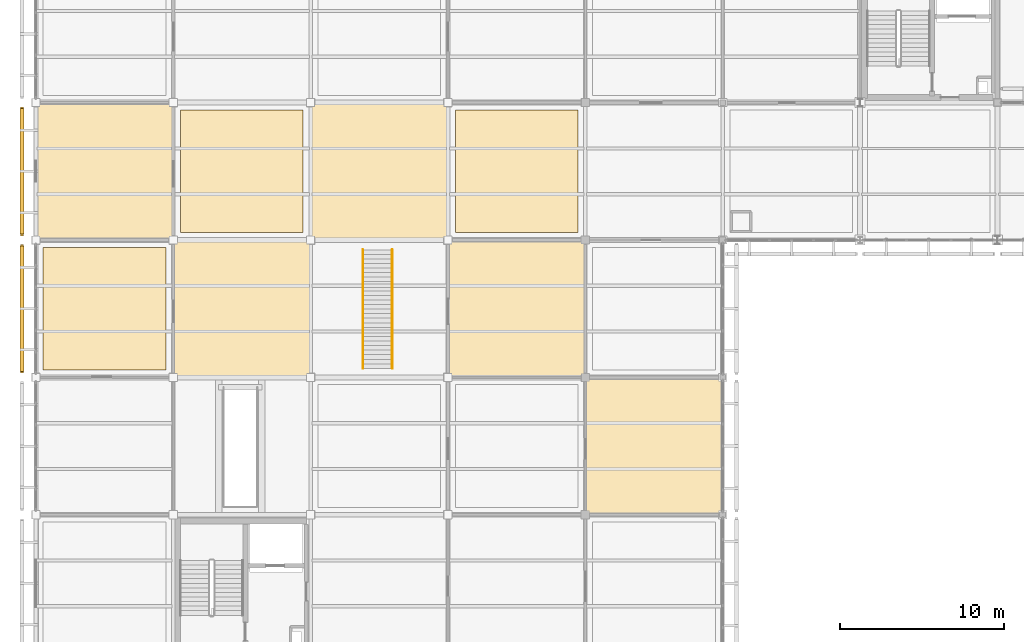
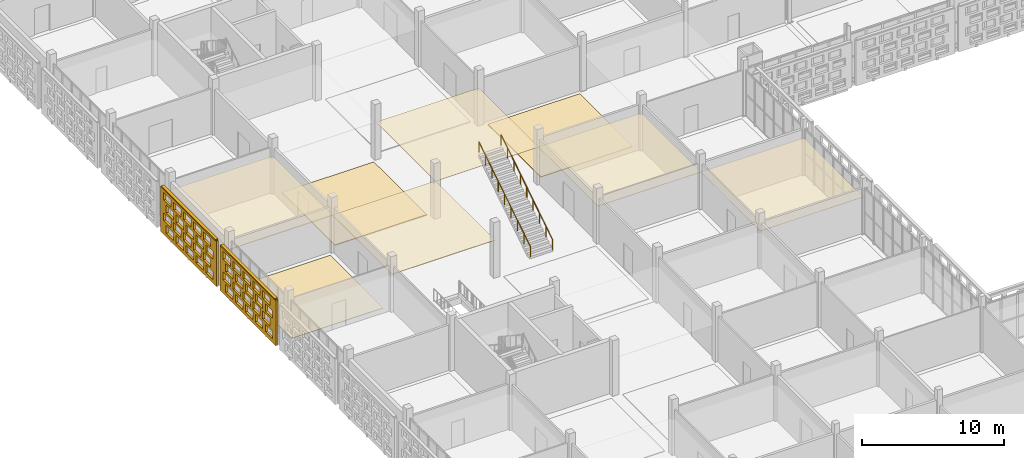
# One storey, part 158 of 203: 10 coverings, 2 railings, 2 shading devices, 40 openings.
"""IFC4 building model written with IfcOpenShell, lengths in metres."""

from ifc_helpers import new_model, si_unit, direction, frame, frame_2d, origin, origin_2d, place, context, subcontext, project, spatial, rectangle, circle, extrude, material, layer, layer_set, type_object, element, save


model = new_model("IFC4")

# Units and contexts
model_context = context("Model", 3, precision=1e-05, world=origin(), true_north=direction((0.0, 1.0)))
body_context = subcontext(model_context, "Body", "Model", "MODEL_VIEW")
ifc_project = project(units=[si_unit("LENGTHUNIT", "METRE"), si_unit("AREAUNIT", "SQUARE_METRE"), si_unit("VOLUMEUNIT", "CUBIC_METRE"), si_unit("PLANEANGLEUNIT", "RADIAN"), si_unit("MASSUNIT", "GRAM", prefix="KILO")], contexts=[model_context])

# Site, building, storey
site_placement = place(None, origin())
site = spatial("IfcSite", under=ifc_project, at=site_placement, CompositionType="ELEMENT")
building_placement = place(site_placement, origin())
building = spatial("IfcBuilding", under=site, at=building_placement, Name="Varnapada Polytechnic", CompositionType="ELEMENT")
storey_placement = place(building_placement, frame((0.0, 0.0, 4.800048828125)))
storey = spatial("IfcBuildingStorey", under=building, at=storey_placement, Name="L01", CompositionType="ELEMENT", Elevation=4.800048828125)

# Coverings
ifc_material_1 = material(Name="Anti-Static Raised Laboratory Flooring")
ifc_layer_1 = layer(ifc_material_1, 0.06005859375)
ifc_layer_set_1 = layer_set([ifc_layer_1], Name="Anti-Static Raised Laboratory Flooring")
covering_type_1 = type_object("IfcCoveringType", Name="Floor Finish FLR-02", PredefinedType="FLOORING", material=ifc_layer_set_1)
for number, where, z_axis, x_axis, name in (
    (1, (12.60009765625, 88.199951171875, 0.0), (0.0, 0.0, 1.0), (1.0, 0.0, 0.0), "L01 floor finish panel (2,11)"),
    (2, (29.39990234375, 88.199951171875, 0.0), (0.0, 0.0, 1.0), (1.0, 0.0, 0.0), "L01 floor finish panel (4,11)"),
):
    element("IfcCovering", number, at=place(storey_placement, frame(where, z_axis=z_axis, x_axis=x_axis)), inside=storey, type_object=covering_type_1, Name=name, PredefinedType="FLOORING", context=body_context, shape_type="SweptSolid", body=[
        extrude(rectangle(XDim=7.5, YDim=7.5, at=origin_2d()), origin(), (0.0, 0.0, 1.0), 0.06005859375),
    ])
ifc_material_2 = material(Name="Acoustic Rubber Seminar Flooring")
ifc_layer_2 = layer(ifc_material_2, 0.0400390625)
ifc_layer_set_2 = layer_set([ifc_layer_2], Name="Acoustic Rubber Seminar Flooring")
covering_type_2 = type_object("IfcCoveringType", Name="Floor Finish FLR-06", PredefinedType="FLOORING", material=ifc_layer_set_2)
covering_1_placement = place(storey_placement, frame((4.199951171875, 79.800048828125, 0.0), z_axis=(0.0, 0.0, 1.0), x_axis=(1.0, 0.0, 0.0)))
element("IfcCovering", 3, at=covering_1_placement, inside=storey, type_object=covering_type_2, Name="L01 floor finish panel (1,10)", PredefinedType="FLOORING", context=body_context, shape_type="SweptSolid", body=[
    extrude(rectangle(XDim=7.5, YDim=7.5, at=origin_2d()), origin(), (0.0, 0.0, 1.0), 0.0400390625),
])

# Railings
ifc_material_3 = material(Name="Brushed Stainless Steel 316", Category="steel")
railing_type = type_object("IfcRailingType", Name="Stair Wall Handrail SHR-01", PredefinedType="HANDRAIL", material=ifc_material_3)
for number, where, name in (
    (4, (20.0, 76.14990234375, 0.177734375), "L01 studio stair ST-F7 handrail L"),
    (5, (21.800048828125, 76.14990234375, 0.177734375), "L01 studio stair ST-F7 handrail R"),
):
    element("IfcRailing", number, at=place(storey_placement, frame(where)), inside=storey, type_object=railing_type, Name=name, PredefinedType="HANDRAIL", context=body_context, shape_type="SweptSolid", body=[
        extrude(circle(Radius=0.02392578125, at=origin_2d()), frame((0.0, 0.0, 0.8759765625), z_axis=(0.0, 0.84320402991, 0.537593679226), x_axis=(-1.0, 0.0, 0.0)), (0.0, 0.0, 1.0), 8.59814453125),
        extrude(circle(Radius=0.02099609375, at=origin_2d()), origin(), (0.0, 0.0, 1.0), 0.851806640625),
        extrude(circle(Radius=0.02099609375, at=origin_2d()), frame((0.0, 0.90625, 0.577880859375)), (0.0, 0.0, 1.0), 0.851806640625),
        extrude(circle(Radius=0.02099609375, at=origin_2d()), frame((0.0, 1.8125, 1.155517578125)), (0.0, 0.0, 1.0), 0.851806640625),
        extrude(circle(Radius=0.02099609375, at=origin_2d()), frame((0.0, 2.71875, 1.7333984375)), (0.0, 0.0, 1.0), 0.851806640625),
        extrude(circle(Radius=0.02099609375, at=origin_2d()), frame((0.0, 3.625, 2.31103515625)), (0.0, 0.0, 1.0), 0.851806640625),
        extrude(circle(Radius=0.02099609375, at=origin_2d()), frame((0.0, 4.53125, 2.888916015625)), (0.0, 0.0, 1.0), 0.851806640625),
        extrude(circle(Radius=0.02099609375, at=origin_2d()), frame((0.0, 5.4375, 3.466796875)), (0.0, 0.0, 1.0), 0.851806640625),
        extrude(circle(Radius=0.02099609375, at=origin_2d()), frame((0.0, 6.34375, 4.04443359375)), (0.0, 0.0, 1.0), 0.851806640625),
        extrude(circle(Radius=0.02099609375, at=origin_2d()), frame((0.0, 7.25, 4.622314453125)), (0.0, 0.0, 1.0), 0.851806640625),
    ])

# Coverings
ifc_material_4 = material(Name="Mineral Fibre Acoustic Ceiling Tile")
ifc_layer_3 = layer(ifc_material_4, 0.0400390625)
ifc_layer_set_3 = layer_set([ifc_layer_3], Name="Mineral Fibre Acoustic Ceiling Tile")
covering_type_3 = type_object("IfcCoveringType", Name="Suspended Ceiling CLG-01", PredefinedType="CEILING", material=ifc_layer_set_3)
covering_2_placement = place(storey_placement, frame((29.39990234375, 79.800048828125, 3.030029296875), z_axis=(0.0, 0.0, 1.0), x_axis=(1.0, 0.0, 0.0)))
element("IfcCovering", 6, at=covering_2_placement, inside=storey, type_object=covering_type_3, Name="L01 suspended acoustic ceiling (4,10)", PredefinedType="CEILING", context=body_context, shape_type="SweptSolid", body=[
    extrude(rectangle(XDim=8.419921875, YDim=8.419921875, at=origin_2d()), origin(), (0.0, 0.0, 1.0), 0.0400390625),
])
ifc_material_5 = material(Name="Moisture-Resistant Aluminum Baffle Ceiling", Category="aluminium")
ifc_layer_4 = layer(ifc_material_5, 0.030029296875)
ifc_layer_set_4 = layer_set([ifc_layer_4], Name="Moisture-Resistant Aluminum Baffle Ceiling")
covering_type_4 = type_object("IfcCoveringType", Name="Suspended Ceiling CLG-03", PredefinedType="CEILING", material=ifc_layer_set_4)
covering_3_placement = place(storey_placement, frame((21.0, 88.199951171875, 3.03515625), z_axis=(0.0, 0.0, 1.0), x_axis=(1.0, 0.0, 0.0)))
element("IfcCovering", 7, at=covering_3_placement, inside=storey, type_object=covering_type_4, Name="L01 suspended acoustic ceiling (3,11)", PredefinedType="CEILING", context=body_context, shape_type="SweptSolid", body=[
    extrude(rectangle(XDim=8.419921875, YDim=8.419921875, at=origin_2d()), origin(), (0.0, 0.0, 1.0), 0.030029296875),
])
ifc_material_6 = material(Name="Slatted Merbau Timber Acoustic Ceiling", Category="wood")
ifc_layer_5 = layer(ifc_material_6, 0.054931640625)
ifc_layer_set_5 = layer_set([ifc_layer_5], Name="Slatted Merbau Timber Acoustic Ceiling")
covering_type_5 = type_object("IfcCoveringType", Name="Suspended Ceiling CLG-05", PredefinedType="CEILING", material=ifc_layer_set_5)
covering_4_placement = place(storey_placement, frame((12.60009765625, 79.800048828125, 3.0224609375), z_axis=(0.0, 0.0, 1.0), x_axis=(1.0, 0.0, 0.0)))
element("IfcCovering", 8, at=covering_4_placement, inside=storey, type_object=covering_type_5, Name="L01 suspended acoustic ceiling (2,10)", PredefinedType="CEILING", context=body_context, shape_type="SweptSolid", body=[
    extrude(rectangle(XDim=8.419921875, YDim=8.419921875, at=origin_2d()), origin(), (0.0, 0.0, 1.0), 0.054931640625),
])
ifc_material_7 = material(Name="Cleanroom Laboratory Metal Pan Ceiling")
ifc_layer_6 = layer(ifc_material_7, 0.034912109375)
ifc_layer_set_6 = layer_set([ifc_layer_6], Name="Cleanroom Laboratory Metal Pan Ceiling")
covering_type_6 = type_object("IfcCoveringType", Name="Suspended Ceiling CLG-06", PredefinedType="CEILING", material=ifc_layer_set_6)
covering_5_placement = place(storey_placement, frame((37.800048828125, 71.39990234375, 3.03271484375), z_axis=(0.0, 0.0, 1.0), x_axis=(1.0, 0.0, 0.0)))
element("IfcCovering", 9, at=covering_5_placement, inside=storey, type_object=covering_type_6, Name="L01 suspended acoustic ceiling (5,9)", PredefinedType="CEILING", context=body_context, shape_type="SweptSolid", body=[
    extrude(rectangle(XDim=8.419921875, YDim=8.419921875, at=origin_2d()), origin(), (0.0, 0.0, 1.0), 0.034912109375),
])
ifc_material_8 = material(Name="Deep Acoustic Auditorium Cloud Baffle")
ifc_layer_7 = layer(ifc_material_8, 0.06494140625)
ifc_layer_set_7 = layer_set([ifc_layer_7], Name="Deep Acoustic Auditorium Cloud Baffle")
covering_type_7 = type_object("IfcCoveringType", Name="Suspended Ceiling CLG-07", PredefinedType="CEILING", material=ifc_layer_set_7)
covering_6_placement = place(storey_placement, frame((4.199951171875, 88.199951171875, 3.017578125), z_axis=(0.0, 0.0, 1.0), x_axis=(1.0, 0.0, 0.0)))
element("IfcCovering", 10, at=covering_6_placement, inside=storey, type_object=covering_type_7, Name="L01 suspended acoustic ceiling (1,11)", PredefinedType="CEILING", context=body_context, shape_type="SweptSolid", body=[
    extrude(rectangle(XDim=8.419921875, YDim=8.419921875, at=origin_2d()), origin(), (0.0, 0.0, 1.0), 0.06494140625),
])

# Covering, openings
ifc_material_9 = material(Name="Earth-toned architectural terracotta screen block", Category="masonry")
ifc_layer_8 = layer(ifc_material_9, 0.1201171875)
ifc_layer_set_8 = layer_set([ifc_layer_8], Name="Earth-toned architectural terracotta screen block")
covering_type_8 = type_object("IfcCoveringType", Name="Terracotta Screen Cladding CLD-01", PredefinedType="CLADDING", material=ifc_layer_set_8)
covering_7_placement = place(storey_placement, frame((-0.85009765625, 75.860107421875, 0.0), z_axis=(0.0, 0.0, 1.0), x_axis=(0.0, 1.0, 0.0)))
covering_7 = element("IfcCovering", 11, at=covering_7_placement, inside=storey, type_object=covering_type_8, Name="L01 perforated terracotta block screen (6)", PredefinedType="CLADDING", context=body_context, shape_type="SweptSolid", body=[
    extrude(rectangle(XDim=7.8798828125, YDim=0.179931640625, at=frame_2d((3.93994140625, 0.0))), origin(), (0.0, 0.0, 1.0), 3.919921875),
])
opening_1_placement = place(covering_7_placement, frame((0.43994140625, 0.0, 0.313720703125)))
element("IfcOpeningElement", 12, at=opening_1_placement, cuts=covering_7, Name="Screen perforation TBS-L01-005.1", PredefinedType="OPENING", context=body_context, shape_type="SweptSolid", body=[
    extrude(rectangle(XDim=1.0400390625, YDim=0.679931640625, at=frame_2d((0.52001953125, 0.33984375))), frame((0.0, 0.099853515625, 0.0), z_axis=(0.0, -1.0, 0.0), x_axis=(1.0, 0.0, 0.0)), (0.0, 0.0, 1.0), 0.199951171875),
])
opening_2_placement = place(covering_7_placement, frame((1.840087890625, 0.0, 0.313720703125)))
element("IfcOpeningElement", 13, at=opening_2_placement, cuts=covering_7, Name="Screen perforation TBS-L01-005.2", PredefinedType="OPENING", context=body_context, shape_type="SweptSolid", body=[
    extrude(rectangle(XDim=1.0400390625, YDim=0.679931640625, at=frame_2d((0.52001953125, 0.33984375))), frame((0.0, 0.099853515625, 0.0), z_axis=(0.0, -1.0, 0.0), x_axis=(1.0, 0.0, 0.0)), (0.0, 0.0, 1.0), 0.199951171875),
])
opening_3_placement = place(covering_7_placement, frame((3.239990234375, 0.0, 0.313720703125)))
element("IfcOpeningElement", 14, at=opening_3_placement, cuts=covering_7, Name="Screen perforation TBS-L01-005.3", PredefinedType="OPENING", context=body_context, shape_type="SweptSolid", body=[
    extrude(rectangle(XDim=1.0400390625, YDim=0.679931640625, at=frame_2d((0.52001953125, 0.33984375))), frame((0.0, 0.099853515625, 0.0), z_axis=(0.0, -1.0, 0.0), x_axis=(1.0, 0.0, 0.0)), (0.0, 0.0, 1.0), 0.199951171875),
])
opening_4_placement = place(covering_7_placement, frame((4.639892578125, 0.0, 0.313720703125)))
element("IfcOpeningElement", 15, at=opening_4_placement, cuts=covering_7, Name="Screen perforation TBS-L01-005.4", PredefinedType="OPENING", context=body_context, shape_type="SweptSolid", body=[
    extrude(rectangle(XDim=1.0400390625, YDim=0.679931640625, at=frame_2d((0.52001953125, 0.33984375))), frame((0.0, 0.099853515625, 0.0), z_axis=(0.0, -1.0, 0.0), x_axis=(1.0, 0.0, 0.0)), (0.0, 0.0, 1.0), 0.199951171875),
])
opening_5_placement = place(covering_7_placement, frame((6.0400390625, 0.0, 0.313720703125)))
element("IfcOpeningElement", 16, at=opening_5_placement, cuts=covering_7, Name="Screen perforation TBS-L01-005.5", PredefinedType="OPENING", context=body_context, shape_type="SweptSolid", body=[
    extrude(rectangle(XDim=1.0400390625, YDim=0.679931640625, at=frame_2d((0.52001953125, 0.33984375))), frame((0.0, 0.099853515625, 0.0), z_axis=(0.0, -1.0, 0.0), x_axis=(1.0, 0.0, 0.0)), (0.0, 0.0, 1.0), 0.199951171875),
])
opening_6_placement = place(covering_7_placement, frame((0.800048828125, 0.0, 1.195556640625)))
element("IfcOpeningElement", 17, at=opening_6_placement, cuts=covering_7, Name="Screen perforation TBS-L01-005.6", PredefinedType="OPENING", context=body_context, shape_type="SweptSolid", body=[
    extrude(rectangle(XDim=1.0400390625, YDim=0.679931640625, at=frame_2d((0.52001953125, 0.33984375))), frame((0.0, 0.099853515625, 0.0), z_axis=(0.0, -1.0, 0.0), x_axis=(1.0, 0.0, 0.0)), (0.0, 0.0, 1.0), 0.199951171875),
])
opening_7_placement = place(covering_7_placement, frame((2.199951171875, 0.0, 1.195556640625)))
element("IfcOpeningElement", 18, at=opening_7_placement, cuts=covering_7, Name="Screen perforation TBS-L01-005.7", PredefinedType="OPENING", context=body_context, shape_type="SweptSolid", body=[
    extrude(rectangle(XDim=1.0400390625, YDim=0.679931640625, at=frame_2d((0.52001953125, 0.33984375))), frame((0.0, 0.099853515625, 0.0), z_axis=(0.0, -1.0, 0.0), x_axis=(1.0, 0.0, 0.0)), (0.0, 0.0, 1.0), 0.199951171875),
])
opening_8_placement = place(covering_7_placement, frame((3.60009765625, 0.0, 1.195556640625)))
element("IfcOpeningElement", 19, at=opening_8_placement, cuts=covering_7, Name="Screen perforation TBS-L01-005.8", PredefinedType="OPENING", context=body_context, shape_type="SweptSolid", body=[
    extrude(rectangle(XDim=1.0400390625, YDim=0.679931640625, at=frame_2d((0.52001953125, 0.33984375))), frame((0.0, 0.099853515625, 0.0), z_axis=(0.0, -1.0, 0.0), x_axis=(1.0, 0.0, 0.0)), (0.0, 0.0, 1.0), 0.199951171875),
])
opening_9_placement = place(covering_7_placement, frame((5.0, 0.0, 1.195556640625)))
element("IfcOpeningElement", 20, at=opening_9_placement, cuts=covering_7, Name="Screen perforation TBS-L01-005.9", PredefinedType="OPENING", context=body_context, shape_type="SweptSolid", body=[
    extrude(rectangle(XDim=1.0400390625, YDim=0.679931640625, at=frame_2d((0.52001953125, 0.33984375))), frame((0.0, 0.099853515625, 0.0), z_axis=(0.0, -1.0, 0.0), x_axis=(1.0, 0.0, 0.0)), (0.0, 0.0, 1.0), 0.199951171875),
])
opening_10_placement = place(covering_7_placement, frame((6.39990234375, 0.0, 1.195556640625)))
element("IfcOpeningElement", 21, at=opening_10_placement, cuts=covering_7, Name="Screen perforation TBS-L01-005.10", PredefinedType="OPENING", context=body_context, shape_type="SweptSolid", body=[
    extrude(rectangle(XDim=1.0400390625, YDim=0.679931640625, at=frame_2d((0.52001953125, 0.33984375))), frame((0.0, 0.099853515625, 0.0), z_axis=(0.0, -1.0, 0.0), x_axis=(1.0, 0.0, 0.0)), (0.0, 0.0, 1.0), 0.199951171875),
])
opening_11_placement = place(covering_7_placement, frame((0.43994140625, 0.0, 2.07763671875)))
element("IfcOpeningElement", 22, at=opening_11_placement, cuts=covering_7, Name="Screen perforation TBS-L01-005.11", PredefinedType="OPENING", context=body_context, shape_type="SweptSolid", body=[
    extrude(rectangle(XDim=1.0400390625, YDim=0.679931640625, at=frame_2d((0.52001953125, 0.33984375))), frame((0.0, 0.099853515625, 0.0), z_axis=(0.0, -1.0, 0.0), x_axis=(1.0, 0.0, 0.0)), (0.0, 0.0, 1.0), 0.199951171875),
])
opening_12_placement = place(covering_7_placement, frame((1.840087890625, 0.0, 2.07763671875)))
element("IfcOpeningElement", 23, at=opening_12_placement, cuts=covering_7, Name="Screen perforation TBS-L01-005.12", PredefinedType="OPENING", context=body_context, shape_type="SweptSolid", body=[
    extrude(rectangle(XDim=1.0400390625, YDim=0.679931640625, at=frame_2d((0.52001953125, 0.33984375))), frame((0.0, 0.099853515625, 0.0), z_axis=(0.0, -1.0, 0.0), x_axis=(1.0, 0.0, 0.0)), (0.0, 0.0, 1.0), 0.199951171875),
])
opening_13_placement = place(covering_7_placement, frame((3.239990234375, 0.0, 2.07763671875)))
element("IfcOpeningElement", 24, at=opening_13_placement, cuts=covering_7, Name="Screen perforation TBS-L01-005.13", PredefinedType="OPENING", context=body_context, shape_type="SweptSolid", body=[
    extrude(rectangle(XDim=1.0400390625, YDim=0.679931640625, at=frame_2d((0.52001953125, 0.33984375))), frame((0.0, 0.099853515625, 0.0), z_axis=(0.0, -1.0, 0.0), x_axis=(1.0, 0.0, 0.0)), (0.0, 0.0, 1.0), 0.199951171875),
])
opening_14_placement = place(covering_7_placement, frame((4.639892578125, 0.0, 2.07763671875)))
element("IfcOpeningElement", 25, at=opening_14_placement, cuts=covering_7, Name="Screen perforation TBS-L01-005.14", PredefinedType="OPENING", context=body_context, shape_type="SweptSolid", body=[
    extrude(rectangle(XDim=1.0400390625, YDim=0.679931640625, at=frame_2d((0.52001953125, 0.33984375))), frame((0.0, 0.099853515625, 0.0), z_axis=(0.0, -1.0, 0.0), x_axis=(1.0, 0.0, 0.0)), (0.0, 0.0, 1.0), 0.199951171875),
])
opening_15_placement = place(covering_7_placement, frame((6.0400390625, 0.0, 2.07763671875)))
element("IfcOpeningElement", 26, at=opening_15_placement, cuts=covering_7, Name="Screen perforation TBS-L01-005.15", PredefinedType="OPENING", context=body_context, shape_type="SweptSolid", body=[
    extrude(rectangle(XDim=1.0400390625, YDim=0.679931640625, at=frame_2d((0.52001953125, 0.33984375))), frame((0.0, 0.099853515625, 0.0), z_axis=(0.0, -1.0, 0.0), x_axis=(1.0, 0.0, 0.0)), (0.0, 0.0, 1.0), 0.199951171875),
])
opening_16_placement = place(covering_7_placement, frame((0.800048828125, 0.0, 2.959716796875)))
element("IfcOpeningElement", 27, at=opening_16_placement, cuts=covering_7, Name="Screen perforation TBS-L01-005.16", PredefinedType="OPENING", context=body_context, shape_type="SweptSolid", body=[
    extrude(rectangle(XDim=1.0400390625, YDim=0.679931640625, at=frame_2d((0.52001953125, 0.33984375))), frame((0.0, 0.099853515625, 0.0), z_axis=(0.0, -1.0, 0.0), x_axis=(1.0, 0.0, 0.0)), (0.0, 0.0, 1.0), 0.199951171875),
])
opening_17_placement = place(covering_7_placement, frame((2.199951171875, 0.0, 2.959716796875)))
element("IfcOpeningElement", 28, at=opening_17_placement, cuts=covering_7, Name="Screen perforation TBS-L01-005.17", PredefinedType="OPENING", context=body_context, shape_type="SweptSolid", body=[
    extrude(rectangle(XDim=1.0400390625, YDim=0.679931640625, at=frame_2d((0.52001953125, 0.33984375))), frame((0.0, 0.099853515625, 0.0), z_axis=(0.0, -1.0, 0.0), x_axis=(1.0, 0.0, 0.0)), (0.0, 0.0, 1.0), 0.199951171875),
])
opening_18_placement = place(covering_7_placement, frame((3.60009765625, 0.0, 2.959716796875)))
element("IfcOpeningElement", 29, at=opening_18_placement, cuts=covering_7, Name="Screen perforation TBS-L01-005.18", PredefinedType="OPENING", context=body_context, shape_type="SweptSolid", body=[
    extrude(rectangle(XDim=1.0400390625, YDim=0.679931640625, at=frame_2d((0.52001953125, 0.33984375))), frame((0.0, 0.099853515625, 0.0), z_axis=(0.0, -1.0, 0.0), x_axis=(1.0, 0.0, 0.0)), (0.0, 0.0, 1.0), 0.199951171875),
])
opening_19_placement = place(covering_7_placement, frame((5.0, 0.0, 2.959716796875)))
element("IfcOpeningElement", 30, at=opening_19_placement, cuts=covering_7, Name="Screen perforation TBS-L01-005.19", PredefinedType="OPENING", context=body_context, shape_type="SweptSolid", body=[
    extrude(rectangle(XDim=1.0400390625, YDim=0.679931640625, at=frame_2d((0.52001953125, 0.33984375))), frame((0.0, 0.099853515625, 0.0), z_axis=(0.0, -1.0, 0.0), x_axis=(1.0, 0.0, 0.0)), (0.0, 0.0, 1.0), 0.199951171875),
])
opening_20_placement = place(covering_7_placement, frame((6.39990234375, 0.0, 2.959716796875)))
element("IfcOpeningElement", 31, at=opening_20_placement, cuts=covering_7, Name="Screen perforation TBS-L01-005.20", PredefinedType="OPENING", context=body_context, shape_type="SweptSolid", body=[
    extrude(rectangle(XDim=1.0400390625, YDim=0.679931640625, at=frame_2d((0.52001953125, 0.33984375))), frame((0.0, 0.099853515625, 0.0), z_axis=(0.0, -1.0, 0.0), x_axis=(1.0, 0.0, 0.0)), (0.0, 0.0, 1.0), 0.199951171875),
])

covering_8_placement = place(storey_placement, frame((-0.85009765625, 84.260009765625, 0.0), z_axis=(0.0, 0.0, 1.0), x_axis=(0.0, 1.0, 0.0)))
covering_8 = element("IfcCovering", 32, at=covering_8_placement, inside=storey, type_object=covering_type_8, Name="L01 perforated terracotta block screen (7)", PredefinedType="CLADDING", context=body_context, shape_type="SweptSolid", body=[
    extrude(rectangle(XDim=7.8798828125, YDim=0.179931640625, at=frame_2d((3.93994140625, 0.0))), origin(), (0.0, 0.0, 1.0), 3.919921875),
])
opening_21_placement = place(covering_8_placement, frame((0.43994140625, 0.0, 0.313720703125)))
element("IfcOpeningElement", 33, at=opening_21_placement, cuts=covering_8, Name="Screen perforation TBS-L01-006.1", PredefinedType="OPENING", context=body_context, shape_type="SweptSolid", body=[
    extrude(rectangle(XDim=1.0400390625, YDim=0.679931640625, at=frame_2d((0.52001953125, 0.33984375))), frame((0.0, 0.099853515625, 0.0), z_axis=(0.0, -1.0, 0.0), x_axis=(1.0, 0.0, 0.0)), (0.0, 0.0, 1.0), 0.199951171875),
])
opening_22_placement = place(covering_8_placement, frame((1.840087890625, 0.0, 0.313720703125)))
element("IfcOpeningElement", 34, at=opening_22_placement, cuts=covering_8, Name="Screen perforation TBS-L01-006.2", PredefinedType="OPENING", context=body_context, shape_type="SweptSolid", body=[
    extrude(rectangle(XDim=1.0400390625, YDim=0.679931640625, at=frame_2d((0.52001953125, 0.33984375))), frame((0.0, 0.099853515625, 0.0), z_axis=(0.0, -1.0, 0.0), x_axis=(1.0, 0.0, 0.0)), (0.0, 0.0, 1.0), 0.199951171875),
])
opening_23_placement = place(covering_8_placement, frame((3.239990234375, 0.0, 0.313720703125)))
element("IfcOpeningElement", 35, at=opening_23_placement, cuts=covering_8, Name="Screen perforation TBS-L01-006.3", PredefinedType="OPENING", context=body_context, shape_type="SweptSolid", body=[
    extrude(rectangle(XDim=1.0400390625, YDim=0.679931640625, at=frame_2d((0.52001953125, 0.33984375))), frame((0.0, 0.099853515625, 0.0), z_axis=(0.0, -1.0, 0.0), x_axis=(1.0, 0.0, 0.0)), (0.0, 0.0, 1.0), 0.199951171875),
])
opening_24_placement = place(covering_8_placement, frame((4.639892578125, 0.0, 0.313720703125)))
element("IfcOpeningElement", 36, at=opening_24_placement, cuts=covering_8, Name="Screen perforation TBS-L01-006.4", PredefinedType="OPENING", context=body_context, shape_type="SweptSolid", body=[
    extrude(rectangle(XDim=1.0400390625, YDim=0.679931640625, at=frame_2d((0.52001953125, 0.33984375))), frame((0.0, 0.099853515625, 0.0), z_axis=(0.0, -1.0, 0.0), x_axis=(1.0, 0.0, 0.0)), (0.0, 0.0, 1.0), 0.199951171875),
])
opening_25_placement = place(covering_8_placement, frame((6.0400390625, 0.0, 0.313720703125)))
element("IfcOpeningElement", 37, at=opening_25_placement, cuts=covering_8, Name="Screen perforation TBS-L01-006.5", PredefinedType="OPENING", context=body_context, shape_type="SweptSolid", body=[
    extrude(rectangle(XDim=1.0400390625, YDim=0.679931640625, at=frame_2d((0.52001953125, 0.33984375))), frame((0.0, 0.099853515625, 0.0), z_axis=(0.0, -1.0, 0.0), x_axis=(1.0, 0.0, 0.0)), (0.0, 0.0, 1.0), 0.199951171875),
])
opening_26_placement = place(covering_8_placement, frame((0.800048828125, 0.0, 1.195556640625)))
element("IfcOpeningElement", 38, at=opening_26_placement, cuts=covering_8, Name="Screen perforation TBS-L01-006.6", PredefinedType="OPENING", context=body_context, shape_type="SweptSolid", body=[
    extrude(rectangle(XDim=1.0400390625, YDim=0.679931640625, at=frame_2d((0.52001953125, 0.33984375))), frame((0.0, 0.099853515625, 0.0), z_axis=(0.0, -1.0, 0.0), x_axis=(1.0, 0.0, 0.0)), (0.0, 0.0, 1.0), 0.199951171875),
])
opening_27_placement = place(covering_8_placement, frame((2.199951171875, 0.0, 1.195556640625)))
element("IfcOpeningElement", 39, at=opening_27_placement, cuts=covering_8, Name="Screen perforation TBS-L01-006.7", PredefinedType="OPENING", context=body_context, shape_type="SweptSolid", body=[
    extrude(rectangle(XDim=1.0400390625, YDim=0.679931640625, at=frame_2d((0.52001953125, 0.33984375))), frame((0.0, 0.099853515625, 0.0), z_axis=(0.0, -1.0, 0.0), x_axis=(1.0, 0.0, 0.0)), (0.0, 0.0, 1.0), 0.199951171875),
])
opening_28_placement = place(covering_8_placement, frame((3.60009765625, 0.0, 1.195556640625)))
element("IfcOpeningElement", 40, at=opening_28_placement, cuts=covering_8, Name="Screen perforation TBS-L01-006.8", PredefinedType="OPENING", context=body_context, shape_type="SweptSolid", body=[
    extrude(rectangle(XDim=1.0400390625, YDim=0.679931640625, at=frame_2d((0.52001953125, 0.33984375))), frame((0.0, 0.099853515625, 0.0), z_axis=(0.0, -1.0, 0.0), x_axis=(1.0, 0.0, 0.0)), (0.0, 0.0, 1.0), 0.199951171875),
])
opening_29_placement = place(covering_8_placement, frame((5.0, 0.0, 1.195556640625)))
element("IfcOpeningElement", 41, at=opening_29_placement, cuts=covering_8, Name="Screen perforation TBS-L01-006.9", PredefinedType="OPENING", context=body_context, shape_type="SweptSolid", body=[
    extrude(rectangle(XDim=1.0400390625, YDim=0.679931640625, at=frame_2d((0.52001953125, 0.33984375))), frame((0.0, 0.099853515625, 0.0), z_axis=(0.0, -1.0, 0.0), x_axis=(1.0, 0.0, 0.0)), (0.0, 0.0, 1.0), 0.199951171875),
])
opening_30_placement = place(covering_8_placement, frame((6.39990234375, 0.0, 1.195556640625)))
element("IfcOpeningElement", 42, at=opening_30_placement, cuts=covering_8, Name="Screen perforation TBS-L01-006.10", PredefinedType="OPENING", context=body_context, shape_type="SweptSolid", body=[
    extrude(rectangle(XDim=1.0400390625, YDim=0.679931640625, at=frame_2d((0.52001953125, 0.33984375))), frame((0.0, 0.099853515625, 0.0), z_axis=(0.0, -1.0, 0.0), x_axis=(1.0, 0.0, 0.0)), (0.0, 0.0, 1.0), 0.199951171875),
])
opening_31_placement = place(covering_8_placement, frame((0.43994140625, 0.0, 2.07763671875)))
element("IfcOpeningElement", 43, at=opening_31_placement, cuts=covering_8, Name="Screen perforation TBS-L01-006.11", PredefinedType="OPENING", context=body_context, shape_type="SweptSolid", body=[
    extrude(rectangle(XDim=1.0400390625, YDim=0.679931640625, at=frame_2d((0.52001953125, 0.33984375))), frame((0.0, 0.099853515625, 0.0), z_axis=(0.0, -1.0, 0.0), x_axis=(1.0, 0.0, 0.0)), (0.0, 0.0, 1.0), 0.199951171875),
])
opening_32_placement = place(covering_8_placement, frame((1.840087890625, 0.0, 2.07763671875)))
element("IfcOpeningElement", 44, at=opening_32_placement, cuts=covering_8, Name="Screen perforation TBS-L01-006.12", PredefinedType="OPENING", context=body_context, shape_type="SweptSolid", body=[
    extrude(rectangle(XDim=1.0400390625, YDim=0.679931640625, at=frame_2d((0.52001953125, 0.33984375))), frame((0.0, 0.099853515625, 0.0), z_axis=(0.0, -1.0, 0.0), x_axis=(1.0, 0.0, 0.0)), (0.0, 0.0, 1.0), 0.199951171875),
])
opening_33_placement = place(covering_8_placement, frame((3.239990234375, 0.0, 2.07763671875)))
element("IfcOpeningElement", 45, at=opening_33_placement, cuts=covering_8, Name="Screen perforation TBS-L01-006.13", PredefinedType="OPENING", context=body_context, shape_type="SweptSolid", body=[
    extrude(rectangle(XDim=1.0400390625, YDim=0.679931640625, at=frame_2d((0.52001953125, 0.33984375))), frame((0.0, 0.099853515625, 0.0), z_axis=(0.0, -1.0, 0.0), x_axis=(1.0, 0.0, 0.0)), (0.0, 0.0, 1.0), 0.199951171875),
])
opening_34_placement = place(covering_8_placement, frame((4.639892578125, 0.0, 2.07763671875)))
element("IfcOpeningElement", 46, at=opening_34_placement, cuts=covering_8, Name="Screen perforation TBS-L01-006.14", PredefinedType="OPENING", context=body_context, shape_type="SweptSolid", body=[
    extrude(rectangle(XDim=1.0400390625, YDim=0.679931640625, at=frame_2d((0.52001953125, 0.33984375))), frame((0.0, 0.099853515625, 0.0), z_axis=(0.0, -1.0, 0.0), x_axis=(1.0, 0.0, 0.0)), (0.0, 0.0, 1.0), 0.199951171875),
])
opening_35_placement = place(covering_8_placement, frame((6.0400390625, 0.0, 2.07763671875)))
element("IfcOpeningElement", 47, at=opening_35_placement, cuts=covering_8, Name="Screen perforation TBS-L01-006.15", PredefinedType="OPENING", context=body_context, shape_type="SweptSolid", body=[
    extrude(rectangle(XDim=1.0400390625, YDim=0.679931640625, at=frame_2d((0.52001953125, 0.33984375))), frame((0.0, 0.099853515625, 0.0), z_axis=(0.0, -1.0, 0.0), x_axis=(1.0, 0.0, 0.0)), (0.0, 0.0, 1.0), 0.199951171875),
])
opening_36_placement = place(covering_8_placement, frame((0.800048828125, 0.0, 2.959716796875)))
element("IfcOpeningElement", 48, at=opening_36_placement, cuts=covering_8, Name="Screen perforation TBS-L01-006.16", PredefinedType="OPENING", context=body_context, shape_type="SweptSolid", body=[
    extrude(rectangle(XDim=1.0400390625, YDim=0.679931640625, at=frame_2d((0.52001953125, 0.33984375))), frame((0.0, 0.099853515625, 0.0), z_axis=(0.0, -1.0, 0.0), x_axis=(1.0, 0.0, 0.0)), (0.0, 0.0, 1.0), 0.199951171875),
])
opening_37_placement = place(covering_8_placement, frame((2.199951171875, 0.0, 2.959716796875)))
element("IfcOpeningElement", 49, at=opening_37_placement, cuts=covering_8, Name="Screen perforation TBS-L01-006.17", PredefinedType="OPENING", context=body_context, shape_type="SweptSolid", body=[
    extrude(rectangle(XDim=1.0400390625, YDim=0.679931640625, at=frame_2d((0.52001953125, 0.33984375))), frame((0.0, 0.099853515625, 0.0), z_axis=(0.0, -1.0, 0.0), x_axis=(1.0, 0.0, 0.0)), (0.0, 0.0, 1.0), 0.199951171875),
])
opening_38_placement = place(covering_8_placement, frame((3.60009765625, 0.0, 2.959716796875)))
element("IfcOpeningElement", 50, at=opening_38_placement, cuts=covering_8, Name="Screen perforation TBS-L01-006.18", PredefinedType="OPENING", context=body_context, shape_type="SweptSolid", body=[
    extrude(rectangle(XDim=1.0400390625, YDim=0.679931640625, at=frame_2d((0.52001953125, 0.33984375))), frame((0.0, 0.099853515625, 0.0), z_axis=(0.0, -1.0, 0.0), x_axis=(1.0, 0.0, 0.0)), (0.0, 0.0, 1.0), 0.199951171875),
])
opening_39_placement = place(covering_8_placement, frame((5.0, 0.0, 2.959716796875)))
element("IfcOpeningElement", 51, at=opening_39_placement, cuts=covering_8, Name="Screen perforation TBS-L01-006.19", PredefinedType="OPENING", context=body_context, shape_type="SweptSolid", body=[
    extrude(rectangle(XDim=1.0400390625, YDim=0.679931640625, at=frame_2d((0.52001953125, 0.33984375))), frame((0.0, 0.099853515625, 0.0), z_axis=(0.0, -1.0, 0.0), x_axis=(1.0, 0.0, 0.0)), (0.0, 0.0, 1.0), 0.199951171875),
])
opening_40_placement = place(covering_8_placement, frame((6.39990234375, 0.0, 2.959716796875)))
element("IfcOpeningElement", 52, at=opening_40_placement, cuts=covering_8, Name="Screen perforation TBS-L01-006.20", PredefinedType="OPENING", context=body_context, shape_type="SweptSolid", body=[
    extrude(rectangle(XDim=1.0400390625, YDim=0.679931640625, at=frame_2d((0.52001953125, 0.33984375))), frame((0.0, 0.099853515625, 0.0), z_axis=(0.0, -1.0, 0.0), x_axis=(1.0, 0.0, 0.0)), (0.0, 0.0, 1.0), 0.199951171875),
])

# Shading devices
ifc_layer_9 = layer(ifc_material_9, 0.179931640625)
ifc_layer_set_9 = layer_set([ifc_layer_9], Name="Earth-toned architectural terracotta screen block")
shading_device_type = type_object("IfcShadingDeviceType", Name="Terracotta Screen SCR-02", PredefinedType="USERDEFINED", material=ifc_layer_set_9)
for number, where, z_axis, x_axis, name in (
    (53, (-0.85009765625, 79.800048828125, 3.909912109375), (0.0, 0.0, 1.0), (0.0, 1.0, 0.0), "L01 perforated terracotta screen hood 89"),
    (54, (-0.85009765625, 88.199951171875, 3.909912109375), (0.0, 0.0, 1.0), (0.0, 1.0, 0.0), "L01 perforated terracotta screen hood 90"),
):
    element("IfcShadingDevice", number, at=place(storey_placement, frame(where, z_axis=z_axis, x_axis=x_axis)), inside=storey, type_object=shading_device_type, Name=name, ObjectType="SCREEN", PredefinedType="USERDEFINED", context=body_context, shape_type="SweptSolid", body=[
        extrude(rectangle(XDim=7.679931640625, YDim=0.239990234375, at=origin_2d()), origin(), (0.0, 0.0, 1.0), 0.10009765625),
    ])

save(model, "model.ifc")
